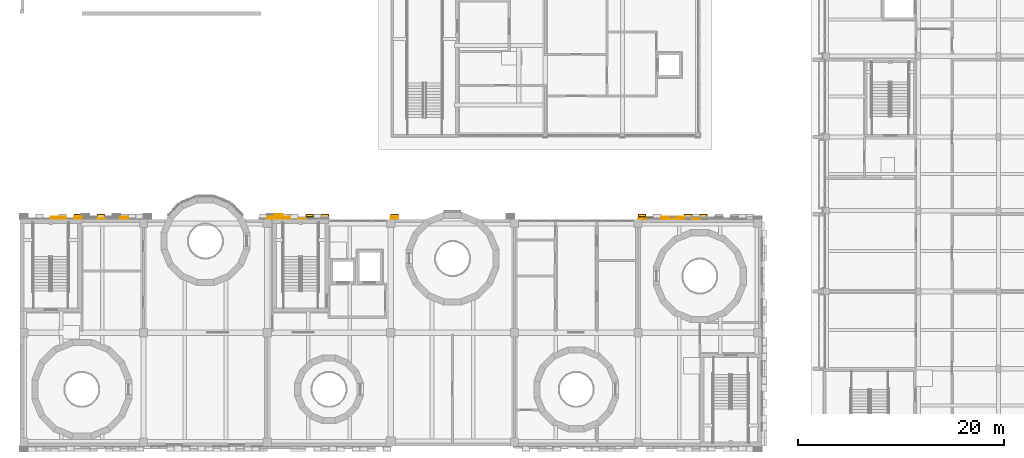
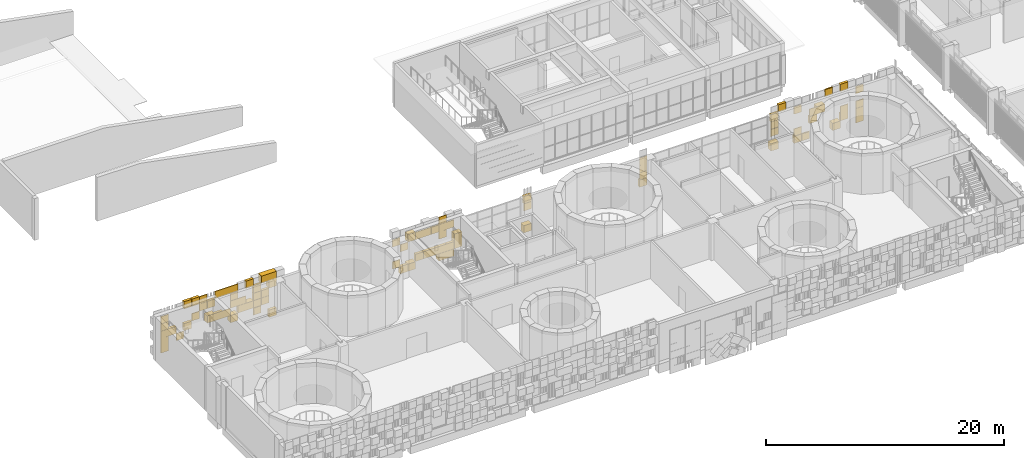
# One storey, part 66 of 92: 2 coverings.
"""IFC4 building model written with IfcOpenShell, lengths in metres."""

from ifc_helpers import new_model, si_unit, direction, frame, origin, origin_2d, place, context, subcontext, project, spatial, rectangle, extrude, material, layer, layer_set, type_object, element, save


model = new_model("IFC4")

# Units and contexts
model_context = context("Model", 3, precision=1e-05, world=origin(), true_north=direction((0.0, 1.0)))
body_context = subcontext(model_context, "Body", "Model", "MODEL_VIEW")
ifc_project = project(units=[si_unit("LENGTHUNIT", "METRE"), si_unit("AREAUNIT", "SQUARE_METRE"), si_unit("VOLUMEUNIT", "CUBIC_METRE"), si_unit("PLANEANGLEUNIT", "RADIAN"), si_unit("MASSUNIT", "GRAM", prefix="KILO")], contexts=[model_context])

# Site, building, storey
site_placement = place(None, origin())
site = spatial("IfcSite", under=ifc_project, at=site_placement, CompositionType="ELEMENT")
building_placement = place(site_placement, origin())
building = spatial("IfcBuilding", under=site, at=building_placement, Name="Sun Court Science Centre", CompositionType="ELEMENT")
storey_placement = place(building_placement, frame((0.0, 0.0, 11.25)))
storey = spatial("IfcBuildingStorey", under=building, at=storey_placement, Name="L02", CompositionType="ELEMENT", Elevation=11.25)

# Coverings
ifc_material_1 = material(Name="Terracotta shade 1", Category="masonry")
ifc_layer_1 = layer(ifc_material_1, 0.06005859375)
ifc_layer_set_1 = layer_set([ifc_layer_1], Name="Terracotta shade 1")
covering_type_1 = type_object("IfcCoveringType", Name="Terracotta pixel panel shade 1", PredefinedType="CLADDING", material=ifc_layer_set_1)
covering_1_placement = place(storey_placement, frame((0.0, 0.0, -11.25)))
element("IfcCovering", 1, at=covering_1_placement, inside=storey, type_object=covering_type_1, Name="Terracotta pixel cladding shade 1 north face L02", PredefinedType="CLADDING", context=body_context, shape_type="SweptSolid", body=[
    extrude(rectangle(XDim=0.739990234375, YDim=0.260009765625, at=origin_2d()), frame((11.625, 28.1298828125, 11.2548828125), z_axis=(0.0, 0.0, 1.0), x_axis=(1.0, 0.0, 0.0)), (0.0, 0.0, 1.0), 0.739990234375),
    extrude(rectangle(XDim=0.739990234375, YDim=0.510009765625, at=origin_2d()), frame((25.125, 28.2548828125, 11.2548828125), z_axis=(0.0, 0.0, 1.0), x_axis=(1.0, 0.0, 0.0)), (0.0, 0.0, 1.0), 0.739990234375),
    extrude(rectangle(XDim=0.739990234375, YDim=0.510009765625, at=origin_2d()), frame((28.125, 28.2548828125, 11.2548828125), z_axis=(0.0, 0.0, 1.0), x_axis=(1.0, 0.0, 0.0)), (0.0, 0.0, 1.0), 0.739990234375),
    extrude(rectangle(XDim=0.739990234375, YDim=0.510009765625, at=origin_2d()), frame((28.875, 28.2548828125, 11.2548828125), z_axis=(0.0, 0.0, 1.0), x_axis=(1.0, 0.0, 0.0)), (0.0, 0.0, 1.0), 0.739990234375),
    extrude(rectangle(XDim=0.739990234375, YDim=0.510009765625, at=origin_2d()), frame((36.375, 28.2548828125, 11.2548828125), z_axis=(0.0, 0.0, 1.0), x_axis=(1.0, 0.0, 0.0)), (0.0, 0.0, 1.0), 0.739990234375),
    extrude(rectangle(XDim=0.739990234375, YDim=0.510009765625, at=origin_2d()), frame((60.375, 28.2548828125, 11.2548828125), z_axis=(0.0, 0.0, 1.0), x_axis=(1.0, 0.0, 0.0)), (0.0, 0.0, 1.0), 0.739990234375),
    extrude(rectangle(XDim=0.739990234375, YDim=0.510009765625, at=origin_2d()), frame((66.375, 28.2548828125, 11.2548828125), z_axis=(0.0, 0.0, 1.0), x_axis=(1.0, 0.0, 0.0)), (0.0, 0.0, 1.0), 0.739990234375),
    extrude(rectangle(XDim=0.739990234375, YDim=0.06005859375, at=origin_2d()), frame((68.625, 28.030029296875, 11.2548828125), z_axis=(0.0, 0.0, 1.0), x_axis=(1.0, 0.0, 0.0)), (0.0, 0.0, 1.0), 0.739990234375),
    extrude(rectangle(XDim=0.739990234375, YDim=0.06005859375, at=origin_2d()), frame((2.625, 28.030029296875, 12.0048828125), z_axis=(0.0, 0.0, 1.0), x_axis=(1.0, 0.0, 0.0)), (0.0, 0.0, 1.0), 0.739990234375),
    extrude(rectangle(XDim=0.739990234375, YDim=0.510009765625, at=origin_2d()), frame((7.875, 28.2548828125, 12.0048828125), z_axis=(0.0, 0.0, 1.0), x_axis=(1.0, 0.0, 0.0)), (0.0, 0.0, 1.0), 0.739990234375),
    extrude(rectangle(XDim=0.739990234375, YDim=0.06005859375, at=origin_2d()), frame((23.625, 28.030029296875, 12.0048828125), z_axis=(0.0, 0.0, 1.0), x_axis=(1.0, 0.0, 0.0)), (0.0, 0.0, 1.0), 0.739990234375),
    extrude(rectangle(XDim=0.739990234375, YDim=0.260009765625, at=origin_2d()), frame((26.625, 28.1298828125, 12.0048828125), z_axis=(0.0, 0.0, 1.0), x_axis=(1.0, 0.0, 0.0)), (0.0, 0.0, 1.0), 0.739990234375),
    extrude(rectangle(XDim=0.739990234375, YDim=0.260009765625, at=origin_2d()), frame((27.375, 28.1298828125, 12.0048828125), z_axis=(0.0, 0.0, 1.0), x_axis=(1.0, 0.0, 0.0)), (0.0, 0.0, 1.0), 0.739990234375),
    extrude(rectangle(XDim=0.739990234375, YDim=0.260009765625, at=origin_2d()), frame((28.125, 28.1298828125, 12.0048828125), z_axis=(0.0, 0.0, 1.0), x_axis=(1.0, 0.0, 0.0)), (0.0, 0.0, 1.0), 0.739990234375),
    extrude(rectangle(XDim=0.739990234375, YDim=0.260009765625, at=origin_2d()), frame((28.875, 28.1298828125, 12.0048828125), z_axis=(0.0, 0.0, 1.0), x_axis=(1.0, 0.0, 0.0)), (0.0, 0.0, 1.0), 0.739990234375),
    extrude(rectangle(XDim=0.739990234375, YDim=0.510009765625, at=origin_2d()), frame((29.625, 28.2548828125, 12.0048828125), z_axis=(0.0, 0.0, 1.0), x_axis=(1.0, 0.0, 0.0)), (0.0, 0.0, 1.0), 0.739990234375),
    extrude(rectangle(XDim=0.739990234375, YDim=0.260009765625, at=origin_2d()), frame((47.625, 28.1298828125, 12.0048828125), z_axis=(0.0, 0.0, 1.0), x_axis=(1.0, 0.0, 0.0)), (0.0, 0.0, 1.0), 0.739990234375),
    extrude(rectangle(XDim=0.739990234375, YDim=0.06005859375, at=origin_2d()), frame((62.625, 28.030029296875, 12.0048828125), z_axis=(0.0, 0.0, 1.0), x_axis=(1.0, 0.0, 0.0)), (0.0, 0.0, 1.0), 0.739990234375),
    extrude(rectangle(XDim=0.739990234375, YDim=0.260009765625, at=origin_2d()), frame((67.125, 28.1298828125, 12.0048828125), z_axis=(0.0, 0.0, 1.0), x_axis=(1.0, 0.0, 0.0)), (0.0, 0.0, 1.0), 0.739990234375),
    extrude(rectangle(XDim=0.739990234375, YDim=0.06005859375, at=origin_2d()), frame((68.625, 28.030029296875, 12.0048828125), z_axis=(0.0, 0.0, 1.0), x_axis=(1.0, 0.0, 0.0)), (0.0, 0.0, 1.0), 0.739990234375),
    extrude(rectangle(XDim=0.739990234375, YDim=0.06005859375, at=origin_2d()), frame((1.125, 28.030029296875, 12.7548828125), z_axis=(0.0, 0.0, 1.0), x_axis=(1.0, 0.0, 0.0)), (0.0, 0.0, 1.0), 0.739990234375),
    extrude(rectangle(XDim=0.739990234375, YDim=0.260009765625, at=origin_2d()), frame((1.875, 28.1298828125, 12.7548828125), z_axis=(0.0, 0.0, 1.0), x_axis=(1.0, 0.0, 0.0)), (0.0, 0.0, 1.0), 0.739990234375),
    extrude(rectangle(XDim=0.739990234375, YDim=0.510009765625, at=origin_2d()), frame((5.625, 28.2548828125, 12.7548828125), z_axis=(0.0, 0.0, 1.0), x_axis=(1.0, 0.0, 0.0)), (0.0, 0.0, 1.0), 0.739990234375),
    extrude(rectangle(XDim=0.739990234375, YDim=0.260009765625, at=origin_2d()), frame((6.375, 28.1298828125, 12.7548828125), z_axis=(0.0, 0.0, 1.0), x_axis=(1.0, 0.0, 0.0)), (0.0, 0.0, 1.0), 0.739990234375),
    extrude(rectangle(XDim=0.739990234375, YDim=0.06005859375, at=origin_2d()), frame((7.125, 28.030029296875, 12.7548828125), z_axis=(0.0, 0.0, 1.0), x_axis=(1.0, 0.0, 0.0)), (0.0, 0.0, 1.0), 0.739990234375),
    extrude(rectangle(XDim=0.739990234375, YDim=0.260009765625, at=origin_2d()), frame((8.625, 28.1298828125, 12.7548828125), z_axis=(0.0, 0.0, 1.0), x_axis=(1.0, 0.0, 0.0)), (0.0, 0.0, 1.0), 0.739990234375),
    extrude(rectangle(XDim=0.739990234375, YDim=0.510009765625, at=origin_2d()), frame((9.375, 28.2548828125, 12.7548828125), z_axis=(0.0, 0.0, 1.0), x_axis=(1.0, 0.0, 0.0)), (0.0, 0.0, 1.0), 0.739990234375),
    extrude(rectangle(XDim=0.739990234375, YDim=0.510009765625, at=origin_2d()), frame((10.875, 28.2548828125, 12.7548828125), z_axis=(0.0, 0.0, 1.0), x_axis=(1.0, 0.0, 0.0)), (0.0, 0.0, 1.0), 0.739990234375),
    extrude(rectangle(XDim=0.739990234375, YDim=0.510009765625, at=origin_2d()), frame((29.625, 28.2548828125, 12.7548828125), z_axis=(0.0, 0.0, 1.0), x_axis=(1.0, 0.0, 0.0)), (0.0, 0.0, 1.0), 0.739990234375),
    extrude(rectangle(XDim=0.739990234375, YDim=0.06005859375, at=origin_2d()), frame((47.625, 28.030029296875, 12.7548828125), z_axis=(0.0, 0.0, 1.0), x_axis=(1.0, 0.0, 0.0)), (0.0, 0.0, 1.0), 0.739990234375),
    extrude(rectangle(XDim=0.739990234375, YDim=0.06005859375, at=origin_2d()), frame((67.125, 28.030029296875, 12.7548828125), z_axis=(0.0, 0.0, 1.0), x_axis=(1.0, 0.0, 0.0)), (0.0, 0.0, 1.0), 0.739990234375),
    extrude(rectangle(XDim=0.739990234375, YDim=0.06005859375, at=origin_2d()), frame((4.125, 28.030029296875, 13.5048828125), z_axis=(0.0, 0.0, 1.0), x_axis=(1.0, 0.0, 0.0)), (0.0, 0.0, 1.0), 0.739990234375),
    extrude(rectangle(XDim=0.739990234375, YDim=0.06005859375, at=origin_2d()), frame((7.875, 28.030029296875, 13.5048828125), z_axis=(0.0, 0.0, 1.0), x_axis=(1.0, 0.0, 0.0)), (0.0, 0.0, 1.0), 0.739990234375),
    extrude(rectangle(XDim=0.739990234375, YDim=0.06005859375, at=origin_2d()), frame((8.625, 28.030029296875, 13.5048828125), z_axis=(0.0, 0.0, 1.0), x_axis=(1.0, 0.0, 0.0)), (0.0, 0.0, 1.0), 0.739990234375),
    extrude(rectangle(XDim=0.739990234375, YDim=0.260009765625, at=origin_2d()), frame((10.125, 28.1298828125, 13.5048828125), z_axis=(0.0, 0.0, 1.0), x_axis=(1.0, 0.0, 0.0)), (0.0, 0.0, 1.0), 0.739990234375),
    extrude(rectangle(XDim=0.739990234375, YDim=0.260009765625, at=origin_2d()), frame((10.875, 28.1298828125, 13.5048828125), z_axis=(0.0, 0.0, 1.0), x_axis=(1.0, 0.0, 0.0)), (0.0, 0.0, 1.0), 0.739990234375),
    extrude(rectangle(XDim=0.739990234375, YDim=0.06005859375, at=origin_2d()), frame((24.375, 28.030029296875, 13.5048828125), z_axis=(0.0, 0.0, 1.0), x_axis=(1.0, 0.0, 0.0)), (0.0, 0.0, 1.0), 0.739990234375),
    extrude(rectangle(XDim=0.739990234375, YDim=0.06005859375, at=origin_2d()), frame((28.125, 28.030029296875, 13.5048828125), z_axis=(0.0, 0.0, 1.0), x_axis=(1.0, 0.0, 0.0)), (0.0, 0.0, 1.0), 0.739990234375),
    extrude(rectangle(XDim=0.739990234375, YDim=0.06005859375, at=origin_2d()), frame((36.375, 28.030029296875, 13.5048828125), z_axis=(0.0, 0.0, 1.0), x_axis=(1.0, 0.0, 0.0)), (0.0, 0.0, 1.0), 0.739990234375),
    extrude(rectangle(XDim=0.739990234375, YDim=0.06005859375, at=origin_2d()), frame((47.625, 28.030029296875, 13.5048828125), z_axis=(0.0, 0.0, 1.0), x_axis=(1.0, 0.0, 0.0)), (0.0, 0.0, 1.0), 0.739990234375),
    extrude(rectangle(XDim=0.739990234375, YDim=0.06005859375, at=origin_2d()), frame((60.375, 28.030029296875, 13.5048828125), z_axis=(0.0, 0.0, 1.0), x_axis=(1.0, 0.0, 0.0)), (0.0, 0.0, 1.0), 0.739990234375),
    extrude(rectangle(XDim=0.739990234375, YDim=0.06005859375, at=origin_2d()), frame((64.125, 28.030029296875, 13.5048828125), z_axis=(0.0, 0.0, 1.0), x_axis=(1.0, 0.0, 0.0)), (0.0, 0.0, 1.0), 0.739990234375),
    extrude(rectangle(XDim=0.739990234375, YDim=0.510009765625, at=origin_2d()), frame((64.875, 28.2548828125, 13.5048828125), z_axis=(0.0, 0.0, 1.0), x_axis=(1.0, 0.0, 0.0)), (0.0, 0.0, 1.0), 0.739990234375),
    extrude(rectangle(XDim=0.739990234375, YDim=0.06005859375, at=origin_2d()), frame((4.875, 28.030029296875, 14.2548828125), z_axis=(0.0, 0.0, 1.0), x_axis=(1.0, 0.0, 0.0)), (0.0, 0.0, 1.0), 0.739990234375),
    extrude(rectangle(XDim=0.739990234375, YDim=0.510009765625, at=origin_2d()), frame((11.625, 28.2548828125, 14.2548828125), z_axis=(0.0, 0.0, 1.0), x_axis=(1.0, 0.0, 0.0)), (0.0, 0.0, 1.0), 0.739990234375),
    extrude(rectangle(XDim=0.739990234375, YDim=0.06005859375, at=origin_2d()), frame((23.625, 28.030029296875, 14.2548828125), z_axis=(0.0, 0.0, 1.0), x_axis=(1.0, 0.0, 0.0)), (0.0, 0.0, 1.0), 0.739990234375),
    extrude(rectangle(XDim=0.739990234375, YDim=0.06005859375, at=origin_2d()), frame((25.875, 28.030029296875, 14.2548828125), z_axis=(0.0, 0.0, 1.0), x_axis=(1.0, 0.0, 0.0)), (0.0, 0.0, 1.0), 0.739990234375),
    extrude(rectangle(XDim=0.739990234375, YDim=0.06005859375, at=origin_2d()), frame((26.625, 28.030029296875, 14.2548828125), z_axis=(0.0, 0.0, 1.0), x_axis=(1.0, 0.0, 0.0)), (0.0, 0.0, 1.0), 0.739990234375),
    extrude(rectangle(XDim=0.739990234375, YDim=0.06005859375, at=origin_2d()), frame((28.125, 28.030029296875, 14.2548828125), z_axis=(0.0, 0.0, 1.0), x_axis=(1.0, 0.0, 0.0)), (0.0, 0.0, 1.0), 0.739990234375),
    extrude(rectangle(XDim=0.739990234375, YDim=0.06005859375, at=origin_2d()), frame((28.875, 28.030029296875, 14.2548828125), z_axis=(0.0, 0.0, 1.0), x_axis=(1.0, 0.0, 0.0)), (0.0, 0.0, 1.0), 0.739990234375),
    extrude(rectangle(XDim=0.739990234375, YDim=0.06005859375, at=origin_2d()), frame((47.625, 28.030029296875, 14.2548828125), z_axis=(0.0, 0.0, 1.0), x_axis=(1.0, 0.0, 0.0)), (0.0, 0.0, 1.0), 0.739990234375),
    extrude(rectangle(XDim=0.739990234375, YDim=0.260009765625, at=origin_2d()), frame((60.375, 28.1298828125, 14.2548828125), z_axis=(0.0, 0.0, 1.0), x_axis=(1.0, 0.0, 0.0)), (0.0, 0.0, 1.0), 0.739990234375),
    extrude(rectangle(XDim=0.739990234375, YDim=0.06005859375, at=origin_2d()), frame((62.625, 28.030029296875, 14.2548828125), z_axis=(0.0, 0.0, 1.0), x_axis=(1.0, 0.0, 0.0)), (0.0, 0.0, 1.0), 0.739990234375),
    extrude(rectangle(XDim=0.739990234375, YDim=0.06005859375, at=origin_2d()), frame((68.625, 28.030029296875, 14.2548828125), z_axis=(0.0, 0.0, 1.0), x_axis=(1.0, 0.0, 0.0)), (0.0, 0.0, 1.0), 0.739990234375),
    extrude(rectangle(XDim=0.739990234375, YDim=0.260009765625, at=origin_2d()), frame((3.375, 28.1298828125, 15.0048828125), z_axis=(0.0, 0.0, 1.0), x_axis=(1.0, 0.0, 0.0)), (0.0, 0.0, 1.0), 0.739990234375),
    extrude(rectangle(XDim=0.739990234375, YDim=0.06005859375, at=origin_2d()), frame((4.875, 28.030029296875, 15.0048828125), z_axis=(0.0, 0.0, 1.0), x_axis=(1.0, 0.0, 0.0)), (0.0, 0.0, 1.0), 0.739990234375),
    extrude(rectangle(XDim=0.739990234375, YDim=0.06005859375, at=origin_2d()), frame((6.375, 28.030029296875, 15.0048828125), z_axis=(0.0, 0.0, 1.0), x_axis=(1.0, 0.0, 0.0)), (0.0, 0.0, 1.0), 0.739990234375),
    extrude(rectangle(XDim=0.739990234375, YDim=0.06005859375, at=origin_2d()), frame((7.125, 28.030029296875, 15.0048828125), z_axis=(0.0, 0.0, 1.0), x_axis=(1.0, 0.0, 0.0)), (0.0, 0.0, 1.0), 0.739990234375),
    extrude(rectangle(XDim=0.739990234375, YDim=0.06005859375, at=origin_2d()), frame((7.875, 28.030029296875, 15.0048828125), z_axis=(0.0, 0.0, 1.0), x_axis=(1.0, 0.0, 0.0)), (0.0, 0.0, 1.0), 0.739990234375),
    extrude(rectangle(XDim=0.739990234375, YDim=0.260009765625, at=origin_2d()), frame((9.375, 28.1298828125, 15.0048828125), z_axis=(0.0, 0.0, 1.0), x_axis=(1.0, 0.0, 0.0)), (0.0, 0.0, 1.0), 0.739990234375),
    extrude(rectangle(XDim=0.739990234375, YDim=0.510009765625, at=origin_2d()), frame((10.875, 28.2548828125, 15.0048828125), z_axis=(0.0, 0.0, 1.0), x_axis=(1.0, 0.0, 0.0)), (0.0, 0.0, 1.0), 0.739990234375),
    extrude(rectangle(XDim=0.739990234375, YDim=0.510009765625, at=origin_2d()), frame((11.625, 28.2548828125, 15.0048828125), z_axis=(0.0, 0.0, 1.0), x_axis=(1.0, 0.0, 0.0)), (0.0, 0.0, 1.0), 0.739990234375),
    extrude(rectangle(XDim=0.739990234375, YDim=0.06005859375, at=origin_2d()), frame((28.125, 28.030029296875, 15.0048828125), z_axis=(0.0, 0.0, 1.0), x_axis=(1.0, 0.0, 0.0)), (0.0, 0.0, 1.0), 0.739990234375),
    extrude(rectangle(XDim=0.739990234375, YDim=0.260009765625, at=origin_2d()), frame((61.125, 28.1298828125, 15.0048828125), z_axis=(0.0, 0.0, 1.0), x_axis=(1.0, 0.0, 0.0)), (0.0, 0.0, 1.0), 0.739990234375),
    extrude(rectangle(XDim=0.739990234375, YDim=0.260009765625, at=origin_2d()), frame((67.125, 28.1298828125, 15.0048828125), z_axis=(0.0, 0.0, 1.0), x_axis=(1.0, 0.0, 0.0)), (0.0, 0.0, 1.0), 0.739990234375),
    extrude(rectangle(XDim=0.739990234375, YDim=0.06005859375, at=origin_2d()), frame((1.125, 28.030029296875, 13.5048828125), z_axis=(0.0, 0.0, 1.0), x_axis=(1.0, 0.0, 0.0)), (0.0, 0.0, 1.0), 0.739990234375),
    extrude(rectangle(XDim=0.739990234375, YDim=0.06005859375, at=origin_2d()), frame((1.125, 28.030029296875, 11.2548828125), z_axis=(0.0, 0.0, 1.0), x_axis=(1.0, 0.0, 0.0)), (0.0, 0.0, 1.0), 0.739990234375),
    extrude(rectangle(XDim=0.739990234375, YDim=0.06005859375, at=origin_2d()), frame((1.125, 28.030029296875, 14.2548828125), z_axis=(0.0, 0.0, 1.0), x_axis=(1.0, 0.0, 0.0)), (0.0, 0.0, 1.0), 0.739990234375),
    extrude(rectangle(XDim=0.739990234375, YDim=0.06005859375, at=origin_2d()), frame((1.125, 28.030029296875, 12.0048828125), z_axis=(0.0, 0.0, 1.0), x_axis=(1.0, 0.0, 0.0)), (0.0, 0.0, 1.0), 0.739990234375),
    extrude(rectangle(XDim=0.739990234375, YDim=0.06005859375, at=origin_2d()), frame((68.625, 28.030029296875, 12.7548828125), z_axis=(0.0, 0.0, 1.0), x_axis=(1.0, 0.0, 0.0)), (0.0, 0.0, 1.0), 0.739990234375),
])
ifc_material_2 = material(Name="Terracotta shade 5", Category="masonry")
ifc_layer_2 = layer(ifc_material_2, 0.06005859375)
ifc_layer_set_2 = layer_set([ifc_layer_2], Name="Terracotta shade 5")
covering_type_2 = type_object("IfcCoveringType", Name="Terracotta pixel panel shade 5", PredefinedType="CLADDING", material=ifc_layer_set_2)
covering_2_placement = place(storey_placement, frame((0.0, 0.0, -11.25)))
element("IfcCovering", 2, at=covering_2_placement, inside=storey, type_object=covering_type_2, Name="Terracotta pixel cladding shade 5 north face L02", PredefinedType="CLADDING", context=body_context, shape_type="SweptSolid", body=[
    extrude(rectangle(XDim=0.739990234375, YDim=0.260009765625, at=origin_2d()), frame((24.375, 28.1298828125, 11.2548828125), z_axis=(0.0, 0.0, 1.0), x_axis=(1.0, 0.0, 0.0)), (0.0, 0.0, 1.0), 0.739990234375),
    extrude(rectangle(XDim=0.739990234375, YDim=0.260009765625, at=origin_2d()), frame((62.625, 28.1298828125, 11.2548828125), z_axis=(0.0, 0.0, 1.0), x_axis=(1.0, 0.0, 0.0)), (0.0, 0.0, 1.0), 0.739990234375),
    extrude(rectangle(XDim=0.739990234375, YDim=0.06005859375, at=origin_2d()), frame((63.375, 28.030029296875, 11.2548828125), z_axis=(0.0, 0.0, 1.0), x_axis=(1.0, 0.0, 0.0)), (0.0, 0.0, 1.0), 0.739990234375),
    extrude(rectangle(XDim=0.739990234375, YDim=0.06005859375, at=origin_2d()), frame((10.125, 28.030029296875, 12.0048828125), z_axis=(0.0, 0.0, 1.0), x_axis=(1.0, 0.0, 0.0)), (0.0, 0.0, 1.0), 0.739990234375),
    extrude(rectangle(XDim=0.739990234375, YDim=0.260009765625, at=origin_2d()), frame((25.875, 28.1298828125, 12.0048828125), z_axis=(0.0, 0.0, 1.0), x_axis=(1.0, 0.0, 0.0)), (0.0, 0.0, 1.0), 0.739990234375),
    extrude(rectangle(XDim=0.739990234375, YDim=0.260009765625, at=origin_2d()), frame((3.375, 28.1298828125, 12.7548828125), z_axis=(0.0, 0.0, 1.0), x_axis=(1.0, 0.0, 0.0)), (0.0, 0.0, 1.0), 0.739990234375),
    extrude(rectangle(XDim=0.739990234375, YDim=0.260009765625, at=origin_2d()), frame((10.125, 28.1298828125, 12.7548828125), z_axis=(0.0, 0.0, 1.0), x_axis=(1.0, 0.0, 0.0)), (0.0, 0.0, 1.0), 0.739990234375),
    extrude(rectangle(XDim=0.739990234375, YDim=0.06005859375, at=origin_2d()), frame((60.375, 28.030029296875, 12.7548828125), z_axis=(0.0, 0.0, 1.0), x_axis=(1.0, 0.0, 0.0)), (0.0, 0.0, 1.0), 0.739990234375),
    extrude(rectangle(XDim=0.739990234375, YDim=0.260009765625, at=origin_2d()), frame((64.125, 28.1298828125, 12.7548828125), z_axis=(0.0, 0.0, 1.0), x_axis=(1.0, 0.0, 0.0)), (0.0, 0.0, 1.0), 0.739990234375),
    extrude(rectangle(XDim=0.739990234375, YDim=0.260009765625, at=origin_2d()), frame((5.625, 28.1298828125, 14.2548828125), z_axis=(0.0, 0.0, 1.0), x_axis=(1.0, 0.0, 0.0)), (0.0, 0.0, 1.0), 0.739990234375),
    extrude(rectangle(XDim=0.739990234375, YDim=0.06005859375, at=origin_2d()), frame((7.875, 28.030029296875, 14.2548828125), z_axis=(0.0, 0.0, 1.0), x_axis=(1.0, 0.0, 0.0)), (0.0, 0.0, 1.0), 0.739990234375),
    extrude(rectangle(XDim=0.739990234375, YDim=0.260009765625, at=origin_2d()), frame((10.125, 28.1298828125, 14.2548828125), z_axis=(0.0, 0.0, 1.0), x_axis=(1.0, 0.0, 0.0)), (0.0, 0.0, 1.0), 0.739990234375),
    extrude(rectangle(XDim=0.739990234375, YDim=0.510009765625, at=origin_2d()), frame((25.125, 28.2548828125, 14.2548828125), z_axis=(0.0, 0.0, 1.0), x_axis=(1.0, 0.0, 0.0)), (0.0, 0.0, 1.0), 0.739990234375),
    extrude(rectangle(XDim=0.739990234375, YDim=0.06005859375, at=origin_2d()), frame((27.375, 28.030029296875, 14.2548828125), z_axis=(0.0, 0.0, 1.0), x_axis=(1.0, 0.0, 0.0)), (0.0, 0.0, 1.0), 0.739990234375),
    extrude(rectangle(XDim=0.739990234375, YDim=0.260009765625, at=origin_2d()), frame((36.375, 28.1298828125, 14.2548828125), z_axis=(0.0, 0.0, 1.0), x_axis=(1.0, 0.0, 0.0)), (0.0, 0.0, 1.0), 0.739990234375),
    extrude(rectangle(XDim=0.739990234375, YDim=0.260009765625, at=origin_2d()), frame((4.125, 28.1298828125, 15.0048828125), z_axis=(0.0, 0.0, 1.0), x_axis=(1.0, 0.0, 0.0)), (0.0, 0.0, 1.0), 0.739990234375),
    extrude(rectangle(XDim=0.739990234375, YDim=0.06005859375, at=origin_2d()), frame((65.625, 28.030029296875, 15.0048828125), z_axis=(0.0, 0.0, 1.0), x_axis=(1.0, 0.0, 0.0)), (0.0, 0.0, 1.0), 0.739990234375),
])

save(model, "model.ifc")
